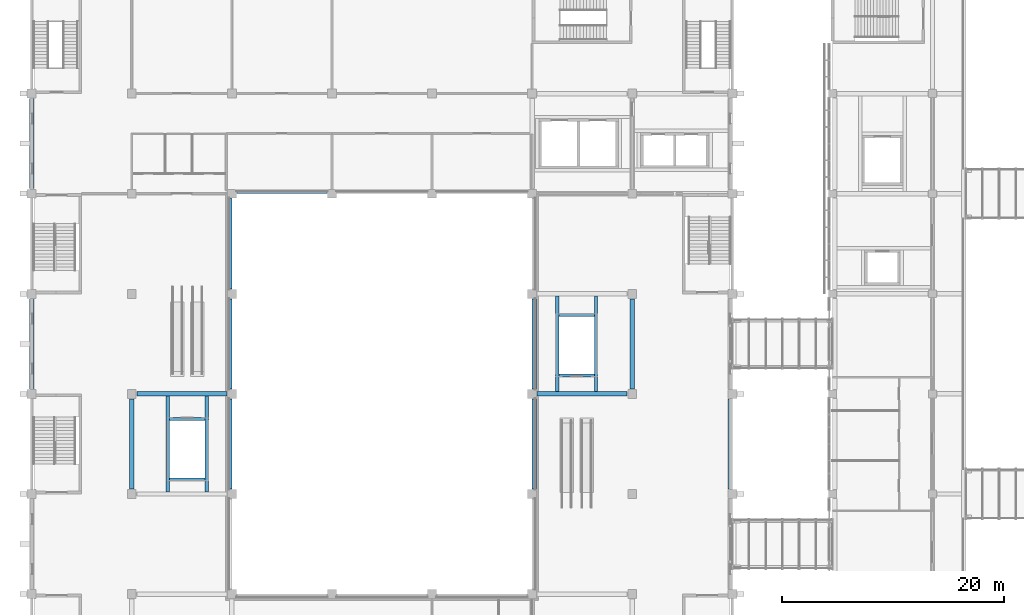
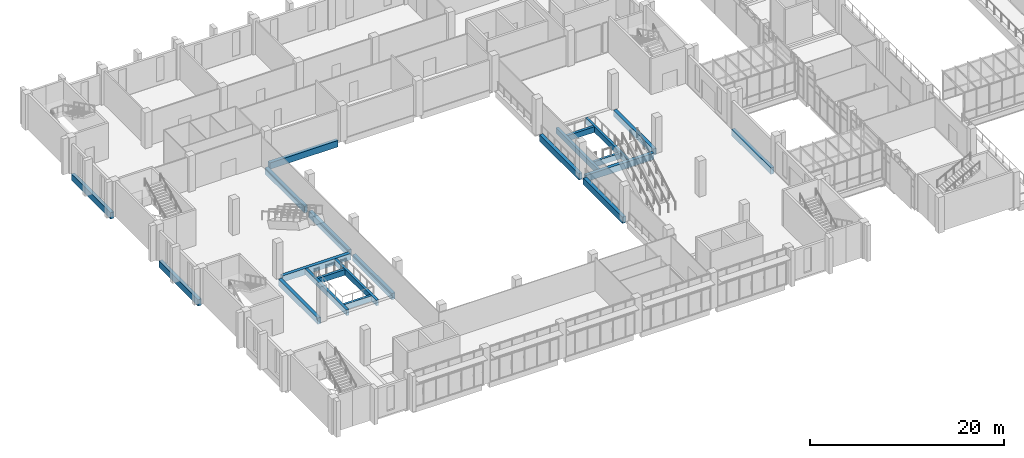
# One storey, part 13 of 106: 21 beams.
"""IFC4 building model written with IfcOpenShell, lengths in metres."""

import ifcopenshell
import ifcopenshell.guid

model = None  # the IFC model being written
_history = None  # IfcOwnerHistory: only IFC2X3 demands one
_inside = {}  # id of a spatial element -> (the spatial element, [elements in it])
_under = {}  # id of a project, library or spatial element -> (it, [spatial elements below it])
_declared = {}  # id of a project -> (the project, [libraries it declares])
_typed = {}  # id of a type object -> (the type object, [elements of that type])
_made_of = {}  # id of a material, layer set ... -> (it, [elements and type objects made of it])


def new_model(schema):
    """Start an empty IFC model of exactly this schema.

    Asked for "IFC4X3", IfcOpenShell would pick the latest addendum, in which some entities
    have other attributes; the version numbers below select the first issue.
    IFC2X3 requires an IfcOwnerHistory on every rooted entity: one is made here for all.
    """
    global model, _history
    if schema == "IFC4X3":
        model = ifcopenshell.file(schema_version=(4, 3, 0, 0))
    else:
        model = ifcopenshell.file(schema=schema)
    _inside.clear()
    _under.clear()
    _declared.clear()
    _typed.clear()
    _made_of.clear()
    _history = None
    if model.schema == "IFC2X3":
        org = make("IfcOrganization", Name="unknown")
        user = make(
            "IfcPersonAndOrganization",
            ThePerson=make("IfcPerson", FamilyName="unknown"),
            TheOrganization=org,
        )
        app = make(
            "IfcApplication",
            ApplicationDeveloper=org,
            Version="unknown",
            ApplicationFullName="unknown",
            ApplicationIdentifier="unknown",
        )
        _history = make(
            "IfcOwnerHistory",
            OwningUser=user,
            OwningApplication=app,
            ChangeAction="ADDED",
            CreationDate=0,
        )
    return model


def make(cls, **values):
    """One entity of the class cls with the attributes given. An attribute that is None is left unset."""
    return model.create_entity(
        cls, **{name: value for name, value in values.items() if value is not None}
    )


def rooted(cls, **values):
    """An entity with a GlobalId (a new one), such as an element, a storey or a relation."""
    return make(cls, GlobalId=ifcopenshell.guid.new(), OwnerHistory=_history, **values)


def si_unit(unit_type, name, prefix=None):
    """IfcSIUnit, for example si_unit("LENGTHUNIT", "METRE", prefix="MILLI")."""
    return make("IfcSIUnit", UnitType=unit_type, Prefix=prefix, Name=name)


def assignment(units):
    """IfcUnitAssignment: the units of a project."""
    return None if units is None else make("IfcUnitAssignment", Units=units)


def point(xyz):
    """IfcCartesianPoint."""
    return None if xyz is None else make("IfcCartesianPoint", Coordinates=xyz)


def direction(xyz):
    """IfcDirection."""
    return None if xyz is None else make("IfcDirection", DirectionRatios=xyz)


def frame(location, z_axis=None, x_axis=None):
    """IfcAxis2Placement3D, a coordinate frame: its origin and axes. An axis left out is left unset."""
    return make(
        "IfcAxis2Placement3D",
        Location=point(location),
        Axis=direction(z_axis),
        RefDirection=direction(x_axis),
    )


def frame_2d(location, x_axis=None):
    """IfcAxis2Placement2D, a coordinate frame in the plane: its origin and x axis."""
    return make(
        "IfcAxis2Placement2D", Location=point(location), RefDirection=direction(x_axis)
    )


def origin():
    """The frame at (0, 0, 0) with its axes left unset."""
    return frame((0.0, 0.0, 0.0))


def origin_2d():
    """The frame at (0, 0) in the plane with its x axis left unset."""
    return frame_2d((0.0, 0.0))


def place(relative_to, where):
    """IfcLocalPlacement: puts the frame where relative to a parent placement (None: the world)."""
    return make(
        "IfcLocalPlacement", PlacementRelTo=relative_to, RelativePlacement=where
    )


def context(
    kind, dimensions, precision=None, world=None, true_north=None, identifier=None
):
    """IfcGeometricRepresentationContext, for example the 3D "Model" context."""
    return make(
        "IfcGeometricRepresentationContext",
        ContextIdentifier=identifier,
        ContextType=kind,
        CoordinateSpaceDimension=dimensions,
        Precision=precision,
        WorldCoordinateSystem=world,
        TrueNorth=true_north,
    )


def subcontext(parent, identifier, kind, view, scale=None):
    """IfcGeometricRepresentationSubContext, for example "Body" below "Model"."""
    return make(
        "IfcGeometricRepresentationSubContext",
        ContextIdentifier=identifier,
        ContextType=kind,
        ParentContext=parent,
        TargetScale=scale,
        TargetView=view,
    )


def project(units=None, contexts=None):
    """IfcProject with its units and contexts."""
    return rooted(
        "IfcProject",
        Name="project",
        RepresentationContexts=contexts,
        UnitsInContext=assignment(units),
    )


def spatial(cls, under=None, at=None, **own):
    """A site, building, storey or space (cls), placed at a placement, below another one or the project."""
    s = rooted(cls, ObjectPlacement=at, **own)
    if under is not None:
        _under.setdefault(under.id(), (under, []))[1].append(s)
    return s


def profile(cls, at=None, kind="AREA", **sizes):
    """A parametric profile (cls). Its sizes go by their IFC names, for example OverallWidth=200.0."""
    return make(cls, ProfileType=kind, Position=at, **sizes)


def rectangle(**sizes):
    """IfcRectangleProfileDef."""
    return profile("IfcRectangleProfileDef", **sizes)


def extrude(swept, where, along, depth):
    """IfcExtrudedAreaSolid: the profile swept, set in the frame where, extruded along a direction by depth."""
    return make(
        "IfcExtrudedAreaSolid",
        SweptArea=swept,
        Position=where,
        ExtrudedDirection=direction(along),
        Depth=depth,
    )


def shape(context_of_items, identifier, shape_type, items):
    """IfcShapeRepresentation: the items that make up one representation, for example the "Body"."""
    return make(
        "IfcShapeRepresentation",
        ContextOfItems=context_of_items,
        RepresentationIdentifier=identifier,
        RepresentationType=shape_type,
        Items=items,
    )


def material(Name=None, Category=None):
    """IfcMaterial."""
    return make("IfcMaterial", Name=Name, Category=Category)


def material_profile(
    of_material, cross_section, Name=None, Category=None, Priority=None
):
    """IfcMaterialProfile: a cross section and its material."""
    return make(
        "IfcMaterialProfile",
        Name=Name,
        Material=of_material,
        Profile=cross_section,
        Priority=Priority,
        Category=Category,
    )


def profile_set(profiles, Name=None, composite=None):
    """IfcMaterialProfileSet."""
    return make(
        "IfcMaterialProfileSet",
        Name=Name,
        MaterialProfiles=profiles,
        CompositeProfile=composite,
    )


def made_of(thing, what):
    """Note that an element or type object is made of a material, layer set ...; save() writes the relation."""
    if what is not None:
        _made_of.setdefault(what.id(), (what, []))[1].append(thing)
    return thing


def type_object(cls, material=None, **own):
    """A type object (cls), such as IfcWallType, which elements share."""
    return made_of(rooted(cls, **own), material)


def element(
    cls,
    number,
    at=None,
    inside=None,
    cuts=None,
    type_object=None,
    material=None,
    context=None,
    identifier="Body",
    shape_type=None,
    held_by="IfcProductDefinitionShape",
    body=None,
    shapes=None,
    **own,
):
    """One element of the class cls, such as IfcWall. Its Tag is "e" and its number.

    at: its placement. inside: the storey or other place that contains it. cuts: it is an
    opening in that element (IfcRelVoidsElement). A single representation is given by context,
    identifier, shape_type and body (its items); several are given by shapes. held_by: the class
    of the entity that holds the representations. save() writes the other relations.
    """
    e = rooted(cls, Tag="e%d" % number, ObjectPlacement=at, **own)
    if body is not None:
        shapes = [shape(context, identifier, shape_type, body)]
    if shapes is not None:
        e.Representation = make(held_by, Representations=shapes)
    if inside is not None:
        _inside.setdefault(inside.id(), (inside, []))[1].append(e)
    if cuts is not None:
        rooted(
            "IfcRelVoidsElement", RelatingBuildingElement=cuts, RelatedOpeningElement=e
        )
    if type_object is not None:
        _typed.setdefault(type_object.id(), (type_object, []))[1].append(e)
    return made_of(e, material)


def aggregate(whole, parts):
    """IfcRelAggregates: a whole, such as a stair, and the parts it consists of."""
    return rooted("IfcRelAggregates", RelatingObject=whole, RelatedObjects=parts)


def save(model, path):
    """Write the relations noted so far, then the file.

    IfcRelAggregates (storeys below a building ...), IfcRelContainedInSpatialStructure (elements
    in a storey), IfcRelDefinesByType, IfcRelAssociatesMaterial and IfcRelDeclares: one each for
    every whole, place, type object, material and project.
    """
    for whole, parts in _under.values():
        aggregate(whole, parts)
    for where, things in _inside.values():
        rooted(
            "IfcRelContainedInSpatialStructure",
            RelatedElements=things,
            RelatingStructure=where,
        )
    for kind, things in _typed.values():
        rooted("IfcRelDefinesByType", RelatedObjects=things, RelatingType=kind)
    for what, things in _made_of.values():
        rooted("IfcRelAssociatesMaterial", RelatedObjects=things, RelatingMaterial=what)
    for by, libraries in _declared.values():
        rooted("IfcRelDeclares", RelatingContext=by, RelatedDefinitions=libraries)
    model.write(path)


model = new_model("IFC4")

# Units and contexts
model_context = context("Model", 3, precision=1e-05, world=origin(), true_north=direction((0.0, 1.0)))
body_context = subcontext(model_context, "Body", "Model", "MODEL_VIEW")
ifc_project = project(units=[si_unit("LENGTHUNIT", "METRE"), si_unit("AREAUNIT", "SQUARE_METRE"), si_unit("VOLUMEUNIT", "CUBIC_METRE"), si_unit("PLANEANGLEUNIT", "RADIAN"), si_unit("MASSUNIT", "GRAM", prefix="KILO")], contexts=[model_context])

# Site, building, storey
site_placement = place(None, origin())
site = spatial("IfcSite", under=ifc_project, at=site_placement, CompositionType="ELEMENT")
building_placement = place(site_placement, origin())
building = spatial("IfcBuilding", under=site, at=building_placement, Name="Guidao Yard Department Store", CompositionType="ELEMENT")
storey_placement = place(building_placement, frame((0.0, 0.0, 10.5)))
storey = spatial("IfcBuildingStorey", under=building, at=storey_placement, Name="L02", CompositionType="ELEMENT", Elevation=10.5)

# Beams
ifc_material_1 = material(Name="Concrete C40", Category="concrete")
ifc_material_profile_1 = material_profile(ifc_material_1, rectangle(XDim=0.39990234375, YDim=0.800048828125, at=origin_2d()), Name="Edge beam 400 x 800 C40")
ifc_profile_set_1 = profile_set([ifc_material_profile_1], Name="Concrete C40")
beam_type_1 = type_object("IfcBeamType", Name="Edge beam 400 x 800 C40", PredefinedType="BEAM", material=ifc_profile_set_1)
for number, where, z_axis, x_axis, name in (
    (1, (17.800048828125, 63.449951171875, -0.39990234375), (0.0, 1.0, 0.0), (-1.0, 0.0, 0.0), "Beam EB16"),
    (2, (17.800048828125, 72.449951171875, -0.39990234375), (0.0, 1.0, 0.0), (-1.0, 0.0, 0.0), "Beam EB17"),
    (3, (17.800048828125, 81.449951171875, -0.39990234375), (0.0, 1.0, 0.0), (-1.0, 0.0, 0.0), "Beam EB18"),
    (4, (45.199951171875, 63.449951171875, -0.39990234375), (0.0, 1.0, 0.0), (-1.0, 0.0, 0.0), "Beam EB23"),
    (5, (45.199951171875, 72.449951171875, -0.39990234375), (0.0, 1.0, 0.0), (-1.0, 0.0, 0.0), "Beam EB24"),
    (6, (18.449951171875, 90.199951171875, -0.39990234375), (1.0, 0.0, 0.0), (0.0, 1.0, 0.0), "Beam EB26"),
    (7, (9.449951171875, 72.0, -0.39990234375), (1.0, 0.0, 0.0), (0.0, 1.0, 0.0), "Beam EB66"),
    (8, (9.0, 63.449951171875, -0.39990234375), (0.0, 1.0, 0.0), (-1.0, 0.0, 0.0), "Beam EB67"),
    (9, (45.449951171875, 72.0, -0.39990234375), (1.0, 0.0, 0.0), (0.0, 1.0, 0.0), "Beam EB71"),
    (10, (54.0, 72.449951171875, -0.39990234375), (0.0, 1.0, 0.0), (-1.0, 0.0, 0.0), "Beam EB73"),
):
    element("IfcBeam", number, at=place(storey_placement, frame(where, z_axis=z_axis, x_axis=x_axis)), inside=storey, type_object=beam_type_1, Name=name, PredefinedType="BEAM", context=body_context, shape_type="SweptSolid", body=[
        extrude(rectangle(XDim=0.39990234375, YDim=0.800048828125, at=origin_2d()), origin(), (0.0, 0.0, 1.0), 8.10009765625),
    ])
ifc_material_2 = material(Name="Concrete C40", Category="concrete")
ifc_material_profile_2 = material_profile(ifc_material_2, rectangle(XDim=0.300048828125, YDim=0.699951171875, at=origin_2d()), Name="Escalator well beam 300 x 700 C40")
ifc_profile_set_2 = profile_set([ifc_material_profile_2], Name="Concrete C40")
beam_type_2 = type_object("IfcBeamType", Name="Escalator well beam 300 x 700 C40", PredefinedType="BEAM", material=ifc_profile_set_2)
for number, where, z_axis, x_axis, name in (
    (11, (12.25, 63.199951171875, -0.35009765625), (0.0, 1.0, 0.0), (-1.0, 0.0, 0.0), "Beam OB05"),
    (12, (15.75, 63.199951171875, -0.35009765625), (0.0, 1.0, 0.0), (-1.0, 0.0, 0.0), "Beam OB06"),
):
    element("IfcBeam", number, at=place(storey_placement, frame(where, z_axis=z_axis, x_axis=x_axis)), inside=storey, type_object=beam_type_2, Name=name, PredefinedType="BEAM", context=body_context, shape_type="SweptSolid", body=[
        extrude(rectangle(XDim=0.300048828125, YDim=0.699951171875, at=origin_2d()), origin(), (0.0, 0.0, 1.0), 8.60009765625),
    ])
for number, where, z_axis, x_axis, name in (
    (13, (12.39990234375, 64.305908203125, -0.35009765625), (1.0, 0.0, 0.0), (0.0, 1.0, 0.0), "Beam OB07"),
    (14, (12.39990234375, 69.743896484375, -0.35009765625), (1.0, 0.0, 0.0), (0.0, 1.0, 0.0), "Beam OB08"),
):
    element("IfcBeam", number, at=place(storey_placement, frame(where, z_axis=z_axis, x_axis=x_axis)), inside=storey, type_object=beam_type_2, Name=name, PredefinedType="BEAM", context=body_context, shape_type="SweptSolid", body=[
        extrude(rectangle(XDim=0.300048828125, YDim=0.699951171875, at=origin_2d()), origin(), (0.0, 0.0, 1.0), 3.2001953125),
    ])
for number, where, z_axis, x_axis, name in (
    (15, (47.25, 72.199951171875, -0.35009765625), (0.0, 1.0, 0.0), (-1.0, 0.0, 0.0), "Beam OB13"),
    (16, (50.75, 72.199951171875, -0.35009765625), (0.0, 1.0, 0.0), (-1.0, 0.0, 0.0), "Beam OB14"),
):
    element("IfcBeam", number, at=place(storey_placement, frame(where, z_axis=z_axis, x_axis=x_axis)), inside=storey, type_object=beam_type_2, Name=name, PredefinedType="BEAM", context=body_context, shape_type="SweptSolid", body=[
        extrude(rectangle(XDim=0.300048828125, YDim=0.699951171875, at=origin_2d()), origin(), (0.0, 0.0, 1.0), 8.60009765625),
    ])
for number, where, z_axis, x_axis, name in (
    (17, (47.39990234375, 73.656005859375, -0.35009765625), (1.0, 0.0, 0.0), (0.0, 1.0, 0.0), "Beam OB15"),
    (18, (47.39990234375, 79.093994140625, -0.35009765625), (1.0, 0.0, 0.0), (0.0, 1.0, 0.0), "Beam OB16"),
):
    element("IfcBeam", number, at=place(storey_placement, frame(where, z_axis=z_axis, x_axis=x_axis)), inside=storey, type_object=beam_type_2, Name=name, PredefinedType="BEAM", context=body_context, shape_type="SweptSolid", body=[
        extrude(rectangle(XDim=0.300048828125, YDim=0.699951171875, at=origin_2d()), origin(), (0.0, 0.0, 1.0), 3.2001953125),
    ])
ifc_material_3 = material(Name="Concrete C40", Category="concrete")
ifc_material_profile_3 = material_profile(ifc_material_3, rectangle(XDim=0.39990234375, YDim=0.800048828125, at=origin_2d()), Name="Spandrel beam 400 x 800 C40")
ifc_profile_set_3 = profile_set([ifc_material_profile_3], Name="Concrete C40")
beam_type_3 = type_object("IfcBeamType", Name="Spandrel beam 400 x 800 C40", PredefinedType="SPANDREL", material=ifc_profile_set_3)
for number, where, z_axis, x_axis, name in (
    (19, (0.0, 72.449951171875, -0.39990234375), (0.0, 1.0, 0.0), (-1.0, 0.0, 0.0), "Beam EB07"),
    (20, (0.0, 90.449951171875, -0.39990234375), (0.0, 1.0, 0.0), (-1.0, 0.0, 0.0), "Beam EB08"),
    (21, (62.800048828125, 63.449951171875, -0.39990234375), (0.0, 1.0, 0.0), (-1.0, 0.0, 0.0), "Beam EB14"),
):
    element("IfcBeam", number, at=place(storey_placement, frame(where, z_axis=z_axis, x_axis=x_axis)), inside=storey, type_object=beam_type_3, Name=name, PredefinedType="SPANDREL", context=body_context, shape_type="SweptSolid", body=[
        extrude(rectangle(XDim=0.39990234375, YDim=0.800048828125, at=origin_2d()), origin(), (0.0, 0.0, 1.0), 8.10009765625),
    ])

save(model, "model.ifc")
